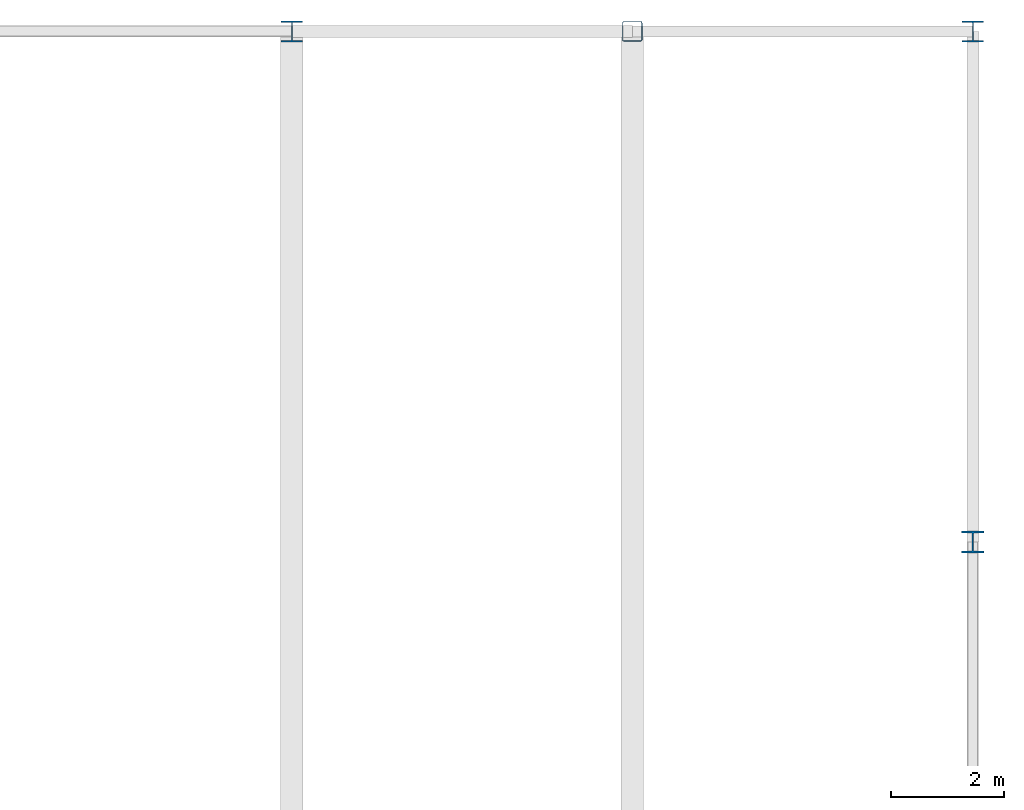
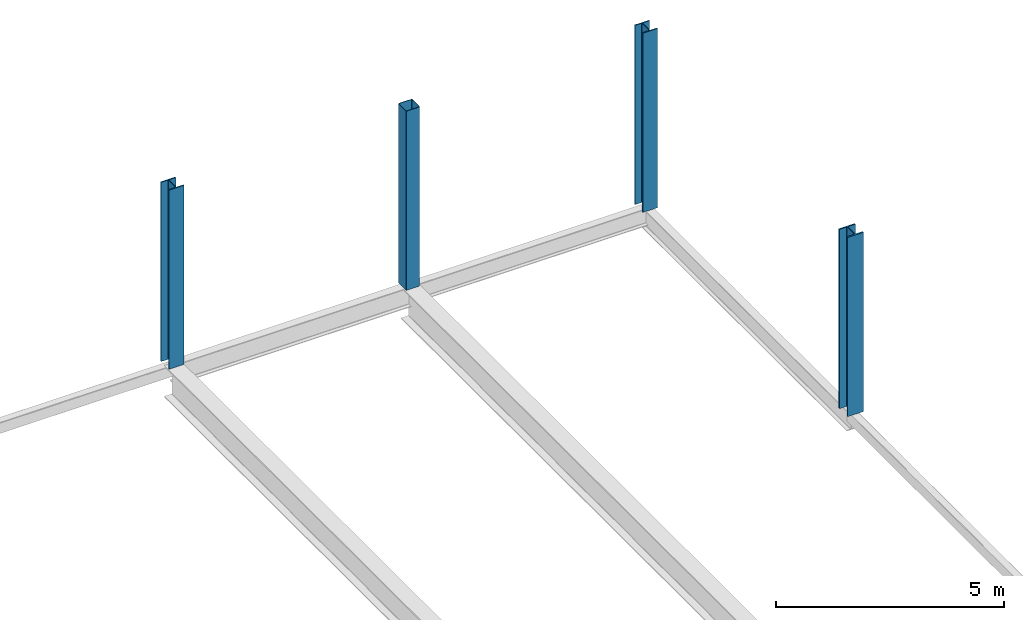
# One storey, part 19 of 224: 4 columns.
"""IFC4 building model written with IfcOpenShell, lengths in metres."""

from ifc_helpers import new_model, si_unit, direction, frame, origin, origin_2d, place, context, subcontext, project, spatial, hollow_rectangle, i_section, extrude, material, material_profile, profile_set, type_object, element, save


model = new_model("IFC4")

# Units and contexts
model_context = context("Model", 3, precision=1e-05, world=origin(), true_north=direction((0.0, 1.0)))
body_context = subcontext(model_context, "Body", "Model", "MODEL_VIEW")
ifc_project = project(units=[si_unit("LENGTHUNIT", "METRE"), si_unit("AREAUNIT", "SQUARE_METRE"), si_unit("VOLUMEUNIT", "CUBIC_METRE"), si_unit("PLANEANGLEUNIT", "RADIAN"), si_unit("MASSUNIT", "GRAM", prefix="KILO")], contexts=[model_context])

# Site, building, storey
site_placement = place(None, origin())
site = spatial("IfcSite", under=ifc_project, at=site_placement, CompositionType="ELEMENT")
building_placement = place(site_placement, origin())
building = spatial("IfcBuilding", under=site, at=building_placement, Name="Qamarlyn Nura Convention Centre", CompositionType="ELEMENT")
storey_placement = place(building_placement, frame((0.0, 0.0, 10.800048828125)))
storey = spatial("IfcBuildingStorey", under=building, at=storey_placement, Name="L02", CompositionType="ELEMENT", Elevation=10.800048828125)

# Columns
ifc_material_1 = material(Name="Steel ASTM A500 Grade C", Category="steel")
ifc_material_profile_1 = material_profile(ifc_material_1, hollow_rectangle(XDim=0.35009765625, YDim=0.35009765625, WallThickness=0.012451171875, InnerFilletRadius=0.012451171875, OuterFilletRadius=0.02490234375, at=origin_2d()), Name="HSS350X350X12.5")
ifc_profile_set_1 = profile_set([ifc_material_profile_1], Name="Steel ASTM A500 Grade C")
column_type_1 = type_object("IfcColumnType", Name="COL-HSS-2", PredefinedType="COLUMN", material=ifc_profile_set_1)
column_1_placement = place(storey_placement, frame((186.0, 126.0, 0.0), z_axis=(0.0, 0.0, 1.0), x_axis=(1.0, 0.0, 0.0)))
element("IfcColumn", 1, at=column_1_placement, inside=storey, type_object=column_type_1, Name="L02 column 17/Q", PredefinedType="COLUMN", context=body_context, shape_type="SweptSolid", body=[
    extrude(hollow_rectangle(XDim=0.35009765625, YDim=0.35009765625, WallThickness=0.012451171875, InnerFilletRadius=0.012451171875, OuterFilletRadius=0.02490234375, at=origin_2d()), origin(), (0.0, 0.0, 1.0), 4.800048828125),
])
ifc_material_2 = material(Name="Steel ASTM A992", Category="steel")
ifc_material_profile_2 = material_profile(ifc_material_2, i_section(OverallWidth=0.39892578125, OverallDepth=0.39306640625, WebThickness=0.022705078125, FlangeThickness=0.03662109375, FilletRadius=0.01806640625, at=origin_2d()), Name="W360X287")
ifc_profile_set_2 = profile_set([ifc_material_profile_2], Name="Steel ASTM A992")
column_type_2 = type_object("IfcColumnType", Name="COL-WING-1", PredefinedType="COLUMN", material=ifc_profile_set_2)
column_2_placement = place(storey_placement, frame((192.0, 117.0, 0.0), z_axis=(0.0, 0.0, 1.0), x_axis=(1.0, 0.0, 0.0)))
element("IfcColumn", 2, at=column_2_placement, inside=storey, type_object=column_type_2, Name="L02 column 18/P", PredefinedType="COLUMN", context=body_context, shape_type="SweptSolid", body=[
    extrude(i_section(OverallWidth=0.39892578125, OverallDepth=0.39306640625, WebThickness=0.022705078125, FlangeThickness=0.03662109375, FilletRadius=0.01806640625, at=origin_2d()), origin(), (0.0, 0.0, 1.0), 4.800048828125),
])
ifc_material_profile_3 = material_profile(ifc_material_2, i_section(OverallWidth=0.3740234375, OverallDepth=0.3720703125, WebThickness=0.016357421875, FlangeThickness=0.026123046875, FilletRadius=0.01611328125, at=origin_2d()), Name="W360X196")
ifc_profile_set_3 = profile_set([ifc_material_profile_3], Name="Steel ASTM A992")
column_type_3 = type_object("IfcColumnType", Name="COL-WING-2", PredefinedType="COLUMN", material=ifc_profile_set_3)
for number, where, z_axis, x_axis, name in (
    (3, (180.0, 126.0, 0.0), (0.0, 0.0, 1.0), (1.0, 0.0, 0.0), "L02 column 16/Q"),
    (4, (192.0, 126.0, 0.0), (0.0, 0.0, 1.0), (1.0, 0.0, 0.0), "L02 column 18/Q"),
):
    element("IfcColumn", number, at=place(storey_placement, frame(where, z_axis=z_axis, x_axis=x_axis)), inside=storey, type_object=column_type_3, Name=name, PredefinedType="COLUMN", context=body_context, shape_type="SweptSolid", body=[
        extrude(i_section(OverallWidth=0.3740234375, OverallDepth=0.3720703125, WebThickness=0.016357421875, FlangeThickness=0.026123046875, FilletRadius=0.01611328125, at=origin_2d()), origin(), (0.0, 0.0, 1.0), 4.800048828125),
    ])

save(model, "model.ifc")
